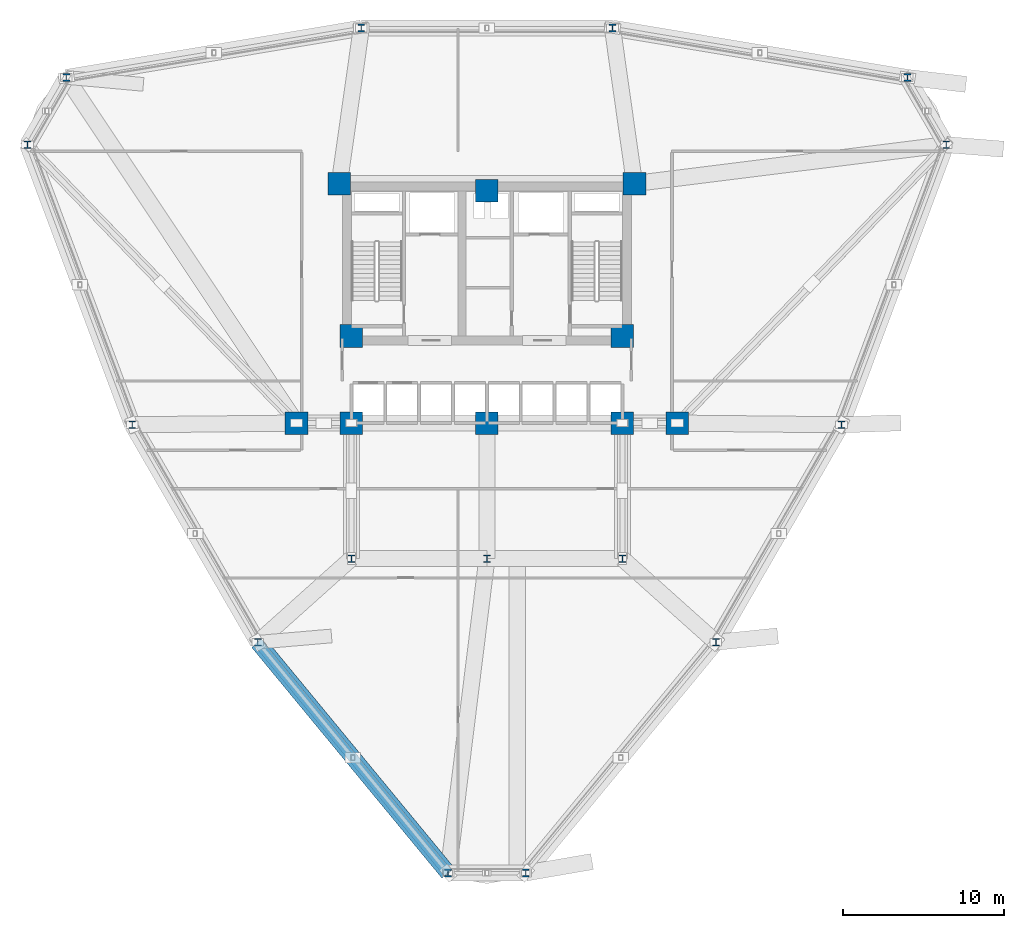
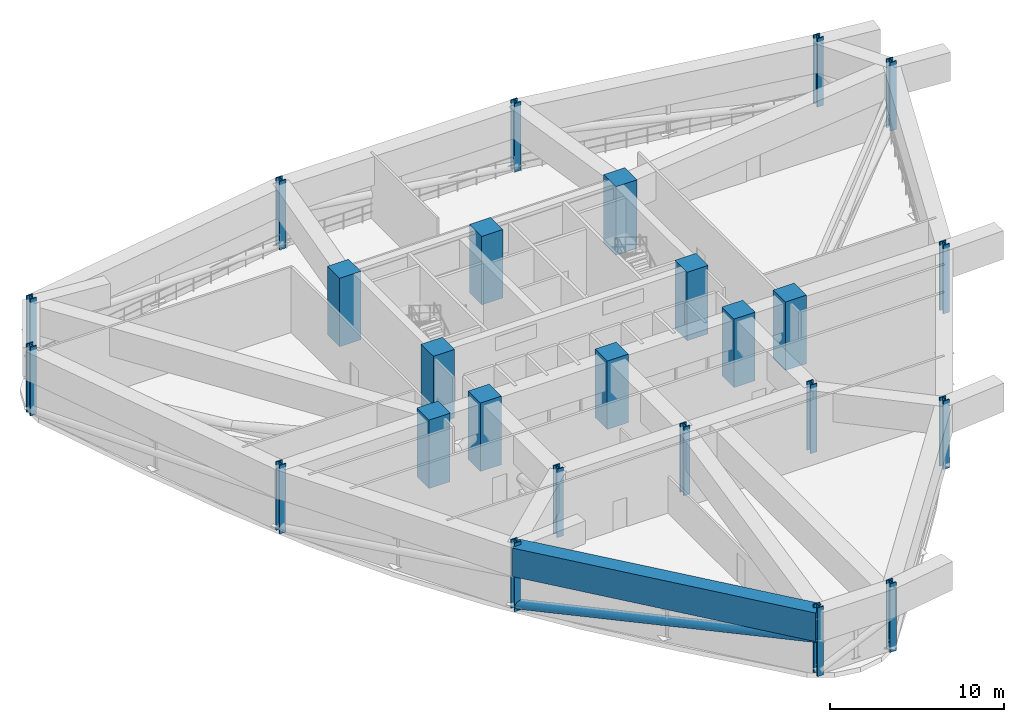
# One storey, part 1 of 12: 25 columns, 1 beam, 1 member.
"""IFC4 building model written with IfcOpenShell, lengths in metres."""

from ifc_helpers import new_model, si_unit, derived_unit, direction, frame, origin, origin_2d, place, context, subcontext, project, spatial, rectangle, hollow_circle, i_section, extrude, source, transform, mapped, material, material_profile, profile_set, type_object, element, save


model = new_model("IFC4")

# Units and contexts
model_context = context("Model", 3, precision=1e-05, world=origin(), true_north=direction((0.0, 1.0)))
body_context = subcontext(model_context, "Body", "Model", "MODEL_VIEW")
ifc_project = project(units=[si_unit("LENGTHUNIT", "METRE"), si_unit("AREAUNIT", "SQUARE_METRE"), si_unit("VOLUMEUNIT", "CUBIC_METRE"), si_unit("PLANEANGLEUNIT", "RADIAN"), si_unit("MASSUNIT", "GRAM", prefix="KILO"), derived_unit("THERMALTRANSMITTANCEUNIT", [(si_unit("POWERUNIT", "WATT"), 1), (si_unit("LENGTHUNIT", "METRE"), -2), (si_unit("THERMODYNAMICTEMPERATUREUNIT", "KELVIN"), -1)])], contexts=[model_context])

# Site, building, storey
site_placement = place(None, origin())
site = spatial("IfcSite", under=ifc_project, at=site_placement, CompositionType="ELEMENT")
building_placement = place(site_placement, origin())
building = spatial("IfcBuilding", under=site, at=building_placement, Name="Korsvarv Bourse and Concert Hall", CompositionType="ELEMENT")
storey_placement = place(building_placement, frame((0.0, 0.0, 59.10009765625)))
storey = spatial("IfcBuildingStorey", under=building, at=storey_placement, Name="L14", CompositionType="ELEMENT", Elevation=59.10009765625)

# Columns
ifc_material_1 = material(Name="Concrete C60/75", Category="concrete")
ifc_material_profile_1 = material_profile(ifc_material_1, rectangle(XDim=1.39990234375, YDim=1.39990234375, at=origin_2d()), Name="RC 1400x1400")
ifc_profile_set_1 = profile_set([ifc_material_profile_1], Name="Concrete C60/75")
column_type_1 = type_object("IfcColumnType", Name="COL-RC1400", PredefinedType="COLUMN", material=ifc_profile_set_1)
shared_shape_1 = source(origin(), body_context, "Body", "SweptSolid", [
    extrude(rectangle(XDim=1.39990234375, YDim=1.39990234375, at=origin_2d()), origin(), (0.0, 0.0, 1.0), 4.7998046875),
])
for number, where, z_axis, x_axis, name in (
    (1, (26.85009765625, 47.25, 0.0), (0.0, 0.0, 1.0), (1.0, 0.0, 0.0), "L14 column C-01"),
    (2, (45.14990234375, 47.25, 0.0), (0.0, 0.0, 1.0), (1.0, 0.0, 0.0), "L14 column C-01"),
    (3, (27.60009765625, 37.800048828125, 0.0), (0.0, 0.0, 1.0), (1.0, 0.0, 0.0), "L14 column C-01"),
    (4, (44.39990234375, 37.800048828125, 0.0), (0.0, 0.0, 1.0), (1.0, 0.0, 0.0), "L14 column C-01"),
    (5, (27.60009765625, 32.39990234375, 0.0), (0.0, 0.0, 1.0), (1.0, 0.0, 0.0), "L14 column C-01"),
    (6, (44.39990234375, 32.39990234375, 0.0), (0.0, 0.0, 1.0), (1.0, 0.0, 0.0), "L14 column C-01"),
    (7, (36.0, 46.800048828125, 0.0), (0.0, 0.0, 1.0), (1.0, 0.0, 0.0), "L14 column C-01"),
    (8, (36.0, 32.39990234375, 0.0), (0.0, 0.0, 1.0), (1.0, 0.0, 0.0), "L14 column C-01"),
    (9, (24.199951171875, 32.39990234375, 0.0), (0.0, 0.0, 1.0), (1.0, 0.0, 0.0), "L14 column C-01"),
    (10, (47.800048828125, 32.39990234375, 0.0), (0.0, 0.0, 1.0), (1.0, 0.0, 0.0), "L14 column C-01"),
):
    element("IfcColumn", number, at=place(storey_placement, frame(where, z_axis=z_axis, x_axis=x_axis)), inside=storey, type_object=column_type_1, Name=name, PredefinedType="COLUMN", context=body_context, shape_type="MappedRepresentation", body=[
        mapped(shared_shape_1, transform((0.0, 0.0, 0.0), scale=1.0)),
    ])
ifc_material_2 = material(Name="Steel S460", Category="steel")
ifc_material_profile_2 = material_profile(ifc_material_2, i_section(OverallWidth=0.424072265625, OverallDepth=0.47412109375, WebThickness=0.044921875, FlangeThickness=0.072021484375, FilletRadius=0.014892578125, at=origin_2d()), Name="HD 400x634")
ifc_profile_set_2 = profile_set([ifc_material_profile_2], Name="Steel S460")
column_type_2 = type_object("IfcColumnType", Name="COL-HD634", PredefinedType="COLUMN", material=ifc_profile_set_2)
shared_shape_2 = source(origin(), body_context, "Body", "SweptSolid", [
    extrude(i_section(OverallWidth=0.424072265625, OverallDepth=0.47412109375, WebThickness=0.044921875, FlangeThickness=0.072021484375, FilletRadius=0.014892578125, at=origin_2d()), origin(), (0.0, 0.0, 1.0), 4.7998046875),
])
for number, where, z_axis, x_axis, name in (
    (11, (27.60009765625, 24.0, 0.0), (0.0, 0.0, 1.0), (1.0, 0.0, 0.0), "L14 column C-07"),
    (12, (44.39990234375, 24.0, 0.0), (0.0, 0.0, 1.0), (1.0, 0.0, 0.0), "L14 column C-07"),
    (13, (36.0, 24.0, 0.0), (0.0, 0.0, 1.0), (1.0, 0.0, 0.0), "L14 column C-07"),
    (14, (64.474609375, 49.662353515625, 0.0), (0.0, 0.0, 1.0), (1.0, 0.0, 0.0), "L14 column C-07"),
    (15, (62.069091796875, 53.82861328125, 0.0), (0.0, 0.0, 1.0), (1.0, 0.0, 0.0), "L14 column C-07"),
    (16, (43.78466796875, 56.889404296875, 0.0), (0.0, 0.0, 1.0), (1.0, 0.0, 0.0), "L14 column C-07"),
    (17, (28.21533203125, 56.889404296875, 0.0), (0.0, 0.0, 1.0), (1.0, 0.0, 0.0), "L14 column C-07"),
    (18, (9.930908203125, 53.82861328125, 0.0), (0.0, 0.0, 1.0), (1.0, 0.0, 0.0), "L14 column C-07"),
    (19, (7.525390625, 49.662353515625, 0.0), (0.0, 0.0, 1.0), (1.0, 0.0, 0.0), "L14 column C-07"),
    (20, (14.016845703125, 32.297119140625, 0.0), (0.0, 0.0, 1.0), (1.0, 0.0, 0.0), "L14 column C-07"),
    (21, (21.801513671875, 18.8134765625, 0.0), (0.0, 0.0, 1.0), (1.0, 0.0, 0.0), "L14 column C-07"),
    (22, (33.5947265625, 4.509033203125, 0.0), (0.0, 0.0, 1.0), (1.0, 0.0, 0.0), "L14 column C-07"),
    (23, (38.4052734375, 4.509033203125, 0.0), (0.0, 0.0, 1.0), (1.0, 0.0, 0.0), "L14 column C-07"),
    (24, (50.198486328125, 18.8134765625, 0.0), (0.0, 0.0, 1.0), (1.0, 0.0, 0.0), "L14 column C-07"),
    (25, (57.983154296875, 32.297119140625, 0.0), (0.0, 0.0, 1.0), (1.0, 0.0, 0.0), "L14 column C-07"),
):
    element("IfcColumn", number, at=place(storey_placement, frame(where, z_axis=z_axis, x_axis=x_axis)), inside=storey, type_object=column_type_2, Name=name, PredefinedType="COLUMN", context=body_context, shape_type="MappedRepresentation", body=[
        mapped(shared_shape_2, transform((0.0, 0.0, 0.0), scale=1.0)),
    ])

# Beam
ifc_material_profile_3 = material_profile(ifc_material_1, rectangle(XDim=1.0, YDim=2.0, at=origin_2d()), Name="RC-BM 1000x2000")
ifc_profile_set_3 = profile_set([ifc_material_profile_3], Name="Concrete C60/75")
beam_type = type_object("IfcBeamType", Name="BM-TR1", PredefinedType="BEAM", material=ifc_profile_set_3)
shared_shape_3 = source(origin(), body_context, "Body", "SweptSolid", [
    extrude(rectangle(XDim=1.0, YDim=2.0, at=origin_2d()), origin(), (0.0, 0.0, 1.0), 18.5390625),
])
beam_placement = place(storey_placement, frame((21.801513671875, 18.8134765625, 3.56982421875), z_axis=(0.636127669923, -0.771583817585, 0.0), x_axis=(0.771583817585, 0.636127669923, 0.0)))
element("IfcBeam", 26, at=beam_placement, inside=storey, type_object=beam_type, Name="L14 beam B-TR1", PredefinedType="BEAM", context=body_context, shape_type="MappedRepresentation", body=[
    mapped(shared_shape_3, transform((0.0, 0.0, 0.0), scale=1.0)),
])

# Member
ifc_material_profile_4 = material_profile(ifc_material_2, hollow_circle(Radius=0.304931640625, WallThickness=0.02490234375, at=origin_2d()), Name="CHS 610x25")
ifc_profile_set_4 = profile_set([ifc_material_profile_4], Name="Steel S460")
member_type = type_object("IfcMemberType", Name="MEM-CHS610", PredefinedType="BRACE", material=ifc_profile_set_4)
shared_shape_4 = source(origin(), body_context, "Body", "SweptSolid", [
    extrude(hollow_circle(Radius=0.304931640625, WallThickness=0.02490234375, at=origin_2d()), origin(), (0.0, 0.0, 1.0), 18.665771484375),
])
member_placement = place(storey_placement, frame((21.801513671875, 18.8134765625, 0.349853515625), z_axis=(0.631813581955, -0.766351093683, 0.116265209192), x_axis=(0.771583817585, 0.636127669923, 0.0)))
element("IfcMember", 27, at=member_placement, inside=storey, type_object=member_type, Name="L14 Perimeter Belt Truss Diagonal 8", PredefinedType="BRACE", context=body_context, shape_type="MappedRepresentation", body=[
    mapped(shared_shape_4, transform((0.0, 0.0, 0.0), scale=1.0)),
])

save(model, "model.ifc")
